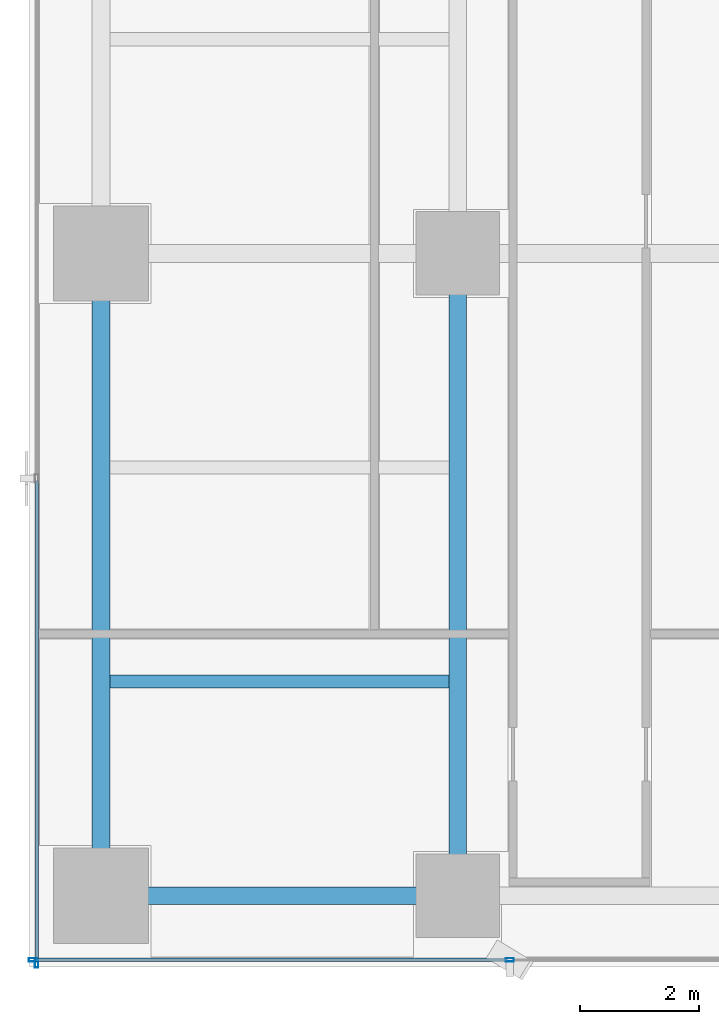
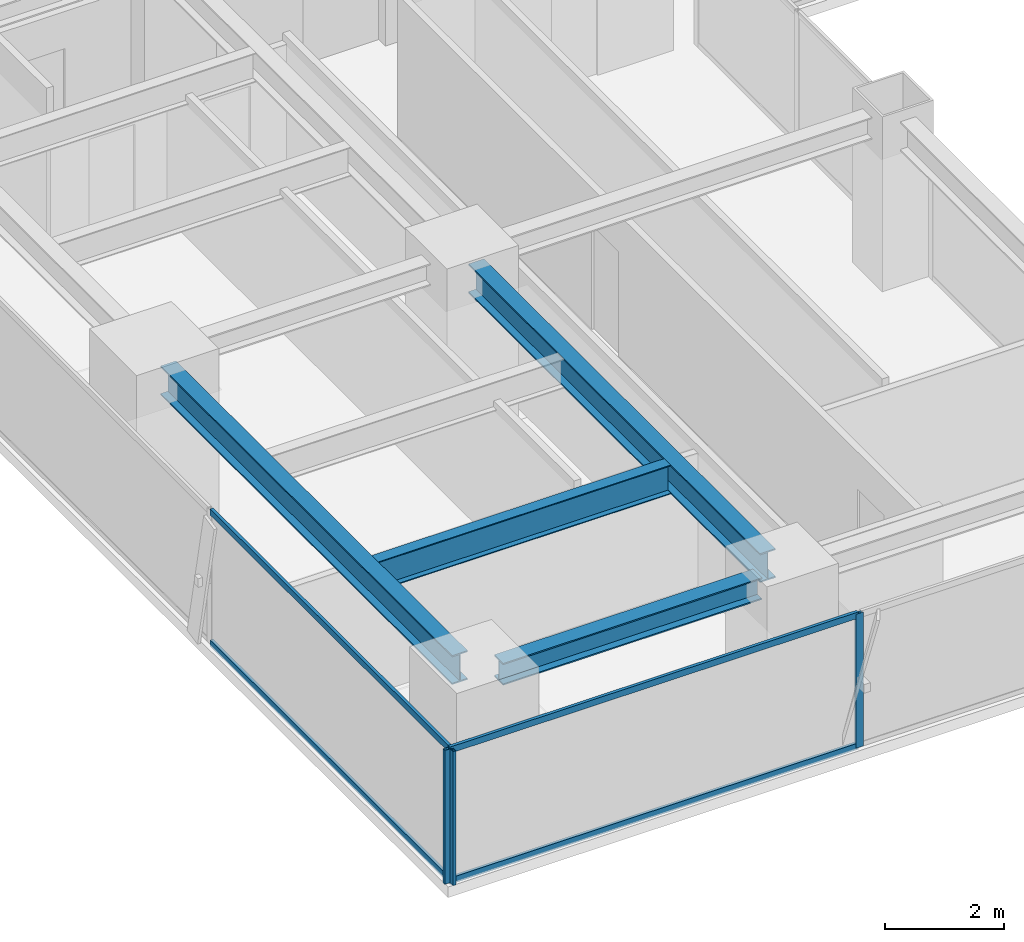
# One storey, part 2 of 30: 7 members, 4 beams, 2 elements without a shape of their own.
"""IFC4 building model written with IfcOpenShell, lengths in metres."""

from ifc_helpers import new_model, si_unit, direction, frame, origin, origin_2d, place, context, subcontext, project, spatial, hollow_rectangle, i_section, extrude, source, transform, mapped, material, layer, layer_set, material_profile, profile_set, type_object, element, aggregate, save


model = new_model("IFC4")

# Units and contexts
model_context = context("Model", 3, precision=1e-05, world=origin(), true_north=direction((0.0, 1.0)))
body_context = subcontext(model_context, "Body", "Model", "MODEL_VIEW")
ifc_project = project(units=[si_unit("LENGTHUNIT", "METRE"), si_unit("AREAUNIT", "SQUARE_METRE"), si_unit("VOLUMEUNIT", "CUBIC_METRE"), si_unit("PLANEANGLEUNIT", "RADIAN"), si_unit("MASSUNIT", "GRAM", prefix="KILO")], contexts=[model_context])

# Site, building, storey
site_placement = place(None, origin())
site = spatial("IfcSite", under=ifc_project, at=site_placement, CompositionType="ELEMENT")
building_placement = place(site_placement, origin())
building = spatial("IfcBuilding", under=site, at=building_placement, Name="Sumidabori Civic Tower", CompositionType="ELEMENT")
storey_placement = place(building_placement, frame((0.0, 0.0, 200.0)))
storey = spatial("IfcBuildingStorey", under=building, at=storey_placement, Name="L51", CompositionType="ELEMENT", Elevation=200.0)

# Beams
ifc_material_1 = material(Name="Steel SN490", Category="steel")
ifc_material_profile_1 = material_profile(ifc_material_1, i_section(OverallWidth=0.300048828125, OverallDepth=0.60009765625, WebThickness=0.015380859375, FlangeThickness=0.030029296875, at=origin_2d()), Name="HE 600 B")
ifc_profile_set_1 = profile_set([ifc_material_profile_1], Name="Steel SN490")
beam_type_1 = type_object("IfcBeamType", Name="BM-GIRD-600", PredefinedType="BEAM", material=ifc_profile_set_1)
shared_shape_1 = source(origin(), body_context, "Body", "SweptSolid", [
    extrude(i_section(OverallWidth=0.300048828125, OverallDepth=0.60009765625, WebThickness=0.015380859375, FlangeThickness=0.030029296875, at=origin_2d()), origin(), (0.0, 0.0, 1.0), 9.840087890625),
])
for number, where, z_axis, x_axis, name in (
    (1, (-22.800048828125, -10.320068359375, 3.080078125), (0.0, 1.0, 0.0), (-1.0, 0.0, 0.0), "Primary Girder L51 GY-11"),
    (2, (-16.800048828125, -10.320068359375, 3.080078125), (0.0, 1.0, 0.0), (-1.0, 0.0, 0.0), "Primary Girder L51 GY-14"),
):
    element("IfcBeam", number, at=place(storey_placement, frame(where, z_axis=z_axis, x_axis=x_axis)), inside=storey, type_object=beam_type_1, Name=name, PredefinedType="BEAM", context=body_context, shape_type="MappedRepresentation", body=[
        mapped(shared_shape_1, transform((0.0, 0.0, 0.0), x_axis=(1.0, 0.0, 0.0), y_axis=(0.0, 1.0, 0.0), z_axis=(0.0, 0.0, 1.0), scale=1.0)),
    ])
ifc_material_profile_2 = material_profile(ifc_material_1, i_section(OverallWidth=0.219970703125, OverallDepth=0.60009765625, WebThickness=0.011962890625, FlangeThickness=0.01904296875, at=origin_2d()), Name="IPE 600")
ifc_profile_set_2 = profile_set([ifc_material_profile_2], Name="Steel SN490")
beam_type_2 = type_object("IfcBeamType", Name="BM-JST-600", PredefinedType="JOIST", material=ifc_profile_set_2)
shared_shape_2 = source(origin(), body_context, "Body", "SweptSolid", [
    extrude(i_section(OverallWidth=0.219970703125, OverallDepth=0.60009765625, WebThickness=0.011962890625, FlangeThickness=0.01904296875, at=origin_2d()), origin(), (0.0, 0.0, 1.0), 5.699951171875),
])
beam_1_placement = place(storey_placement, frame((-22.64990234375, -7.199951171875, 3.080078125), z_axis=(1.0, 0.0, 0.0), x_axis=(0.0, 1.0, 0.0)))
element("IfcBeam", 3, at=beam_1_placement, inside=storey, type_object=beam_type_2, Name="Outer Bay Floor Joist L51 JSTO-25", PredefinedType="JOIST", context=body_context, shape_type="MappedRepresentation", body=[
    mapped(shared_shape_2, transform((0.0, 0.0, 0.0), x_axis=(1.0, 0.0, 0.0), y_axis=(0.0, 1.0, 0.0), z_axis=(0.0, 0.0, 1.0), scale=1.0)),
])
ifc_material_profile_3 = material_profile(ifc_material_1, i_section(OverallWidth=0.300048828125, OverallDepth=0.449951171875, WebThickness=0.013916015625, FlangeThickness=0.02587890625, at=origin_2d()), Name="HE 450 B")
ifc_profile_set_3 = profile_set([ifc_material_profile_3], Name="Steel SN490")
beam_type_3 = type_object("IfcBeamType", Name="BM-GIRD-450", PredefinedType="BEAM", material=ifc_profile_set_3)
shared_shape_3 = source(origin(), body_context, "Body", "SweptSolid", [
    extrude(i_section(OverallWidth=0.300048828125, OverallDepth=0.449951171875, WebThickness=0.013916015625, FlangeThickness=0.02587890625, at=origin_2d()), origin(), (0.0, 0.0, 1.0), 5.0400390625),
])
beam_2_placement = place(storey_placement, frame((-22.320068359375, -10.800048828125, 3.155029296875), z_axis=(1.0, 0.0, 0.0), x_axis=(0.0, 1.0, 0.0)))
element("IfcBeam", 4, at=beam_2_placement, inside=storey, type_object=beam_type_3, Name="Primary Girder L51 GX-01", PredefinedType="BEAM", context=body_context, shape_type="MappedRepresentation", body=[
    mapped(shared_shape_3, transform((0.0, 0.0, 0.0), x_axis=(1.0, 0.0, 0.0), y_axis=(0.0, 1.0, 0.0), z_axis=(0.0, 0.0, 1.0), scale=1.0)),
])

# Curtain wall, members
ifc_material_2 = material(Name="Anodised Bronze Aluminium AW-6063-T6", Category="aluminium")
ifc_layer = layer(ifc_material_2, 0.179931640625, Name="Anodised Bronze Aluminium AW-6063-T6")
ifc_layer_set = layer_set([ifc_layer], Name="Anodised Bronze Aluminium AW-6063-T6")
curtain_wall_type = type_object("IfcCurtainWallType", Name="CW-SYS-5", PredefinedType="NOTDEFINED", material=ifc_layer_set)
curtain_wall_1_placement = place(storey_placement, origin())
curtain_wall_1 = element("IfcCurtainWall", 5, at=curtain_wall_1_placement, inside=storey, type_object=curtain_wall_type, Name="Curtain Wall CW:L51:R01", PredefinedType="NOTDEFINED")
ifc_material_profile_4 = material_profile(ifc_material_2, hollow_rectangle(XDim=0.06005859375, YDim=0.139892578125, WallThickness=0.0048828125, at=origin_2d()), Name="ALU MULLION 140x60")
ifc_profile_set_4 = profile_set([ifc_material_profile_4], Name="Anodised Bronze Aluminium AW-6063-T6")
member_type_1 = type_object("IfcMemberType", Name="CW-MUL-140", PredefinedType="MULLION", material=ifc_profile_set_4)
shared_shape_4 = source(origin(), body_context, "Body", "SweptSolid", [
    extrude(hollow_rectangle(XDim=0.06005859375, YDim=0.139892578125, WallThickness=0.0048828125, at=origin_2d()), origin(), (0.0, 0.0, 1.0), 2.760009765625),
])
member_1_placement = place(storey_placement, frame((-23.93994140625, -11.8798828125, 0.0), z_axis=(0.0, 0.0, 1.0), x_axis=(0.0, 1.0, 0.0)))
member_1 = element("IfcMember", 6, at=member_1_placement, type_object=member_type_1, Name="CW-5 mullion 1", PredefinedType="MULLION", context=body_context, shape_type="MappedRepresentation", body=[
    mapped(shared_shape_4, transform((0.0, 0.0, 0.0), x_axis=(1.0, 0.0, 0.0), y_axis=(0.0, 1.0, 0.0), z_axis=(0.0, 0.0, 1.0), scale=1.0)),
])
member_2_placement = place(storey_placement, frame((-15.925048828125, -11.8798828125, 0.0), z_axis=(0.0, 0.0, 1.0), x_axis=(0.0, 1.0, 0.0)))
member_2 = element("IfcMember", 7, at=member_2_placement, type_object=member_type_1, Name="CW-5 mullion 2", PredefinedType="MULLION", context=body_context, shape_type="MappedRepresentation", body=[
    mapped(shared_shape_4, transform((0.0, 0.0, 0.0), x_axis=(1.0, 0.0, 0.0), y_axis=(0.0, 1.0, 0.0), z_axis=(0.0, 0.0, 1.0), scale=1.0)),
])

# Curtain wall, member
curtain_wall_2_placement = place(storey_placement, origin())
curtain_wall_2 = element("IfcCurtainWall", 8, at=curtain_wall_2_placement, inside=storey, type_object=curtain_wall_type, Name="Curtain Wall CW:L51:R16", PredefinedType="NOTDEFINED")
member_3_placement = place(storey_placement, frame((-23.8798828125, -11.93994140625, 0.0), z_axis=(0.0, 0.0, 1.0), x_axis=(1.0, 0.0, 0.0)))
member_3 = element("IfcMember", 9, at=member_3_placement, type_object=member_type_1, Name="CW-5 mullion 5", PredefinedType="MULLION", context=body_context, shape_type="MappedRepresentation", body=[
    mapped(shared_shape_4, transform((0.0, 0.0, 0.0), x_axis=(1.0, 0.0, 0.0), y_axis=(0.0, 1.0, 0.0), z_axis=(0.0, 0.0, 1.0), scale=1.0)),
])

# Member
ifc_material_profile_5 = material_profile(ifc_material_2, hollow_rectangle(XDim=0.06005859375, YDim=0.1298828125, WallThickness=0.0048828125, at=origin_2d()), Name="ALU TRANSOM 130x60")
ifc_profile_set_5 = profile_set([ifc_material_profile_5], Name="Anodised Bronze Aluminium AW-6063-T6")
member_type_2 = type_object("IfcMemberType", Name="CW-TRN-130", PredefinedType="USERDEFINED", material=ifc_profile_set_5)
shared_shape_5 = source(origin(), body_context, "Body", "SweptSolid", [
    extrude(hollow_rectangle(XDim=0.06005859375, YDim=0.1298828125, WallThickness=0.0048828125, at=origin_2d()), origin(), (0.0, 0.0, 1.0), 7.954833984375),
])
member_4_placement = place(storey_placement, frame((-23.909912109375, -11.8798828125, 0.030029296875), z_axis=(1.0, 0.0, 0.0), x_axis=(0.0, 1.0, 0.0)))
member_4 = element("IfcMember", 10, at=member_4_placement, type_object=member_type_2, Name="CW-5 transom 1.1", ObjectType="TRANSOM", PredefinedType="USERDEFINED", context=body_context, shape_type="MappedRepresentation", body=[
    mapped(shared_shape_5, transform((0.0, 0.0, 0.0), x_axis=(1.0, 0.0, 0.0), y_axis=(0.0, 1.0, 0.0), z_axis=(0.0, 0.0, 1.0), scale=1.0)),
])

member_5_placement = place(storey_placement, frame((-23.909912109375, -11.8798828125, 2.72998046875), z_axis=(1.0, 0.0, 0.0), x_axis=(0.0, 1.0, 0.0)))
member_5 = element("IfcMember", 11, at=member_5_placement, type_object=member_type_2, Name="CW-5 transom 1.2", ObjectType="TRANSOM", PredefinedType="USERDEFINED", context=body_context, shape_type="MappedRepresentation", body=[
    mapped(shared_shape_5, transform((0.0, 0.0, 0.0), x_axis=(1.0, 0.0, 0.0), y_axis=(0.0, 1.0, 0.0), z_axis=(0.0, 0.0, 1.0), scale=1.0)),
])

aggregate(curtain_wall_1, [member_1, member_2, member_4, member_5])

shared_shape_6 = source(origin(), body_context, "Body", "SweptSolid", [
    extrude(hollow_rectangle(XDim=0.06005859375, YDim=0.1298828125, WallThickness=0.0048828125, at=origin_2d()), origin(), (0.0, 0.0, 1.0), 8.094970703125),
])
member_6_placement = place(storey_placement, frame((-23.8798828125, -3.81494140625, 0.030029296875), z_axis=(0.0, -1.0, 0.0), x_axis=(1.0, 0.0, 0.0)))
member_6 = element("IfcMember", 12, at=member_6_placement, type_object=member_type_2, Name="CW-5 transom 4.1", ObjectType="TRANSOM", PredefinedType="USERDEFINED", context=body_context, shape_type="MappedRepresentation", body=[
    mapped(shared_shape_6, transform((0.0, 0.0, 0.0), x_axis=(1.0, 0.0, 0.0), y_axis=(0.0, 1.0, 0.0), z_axis=(0.0, 0.0, 1.0), scale=1.0)),
])

member_7_placement = place(storey_placement, frame((-23.8798828125, -3.81494140625, 2.72998046875), z_axis=(0.0, -1.0, 0.0), x_axis=(1.0, 0.0, 0.0)))
member_7 = element("IfcMember", 13, at=member_7_placement, type_object=member_type_2, Name="CW-5 transom 4.2", ObjectType="TRANSOM", PredefinedType="USERDEFINED", context=body_context, shape_type="MappedRepresentation", body=[
    mapped(shared_shape_6, transform((0.0, 0.0, 0.0), x_axis=(1.0, 0.0, 0.0), y_axis=(0.0, 1.0, 0.0), z_axis=(0.0, 0.0, 1.0), scale=1.0)),
])

aggregate(curtain_wall_2, [member_3, member_6, member_7])

save(model, "model.ifc")
